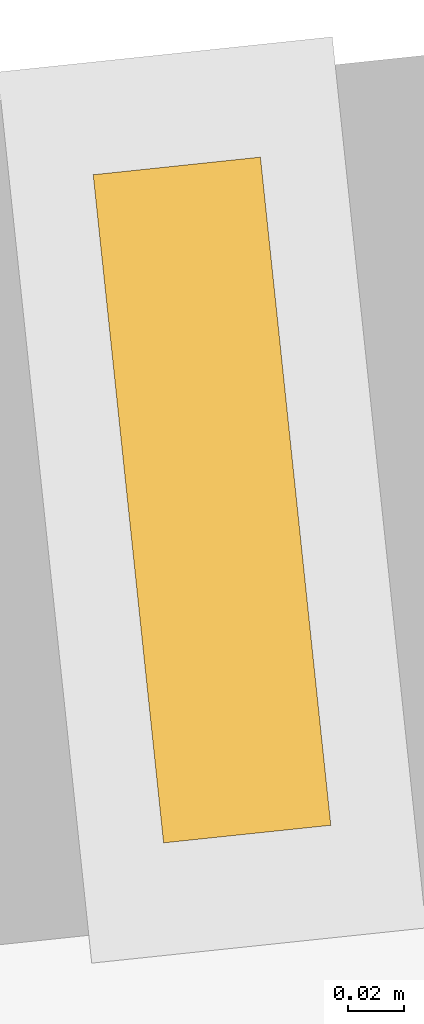
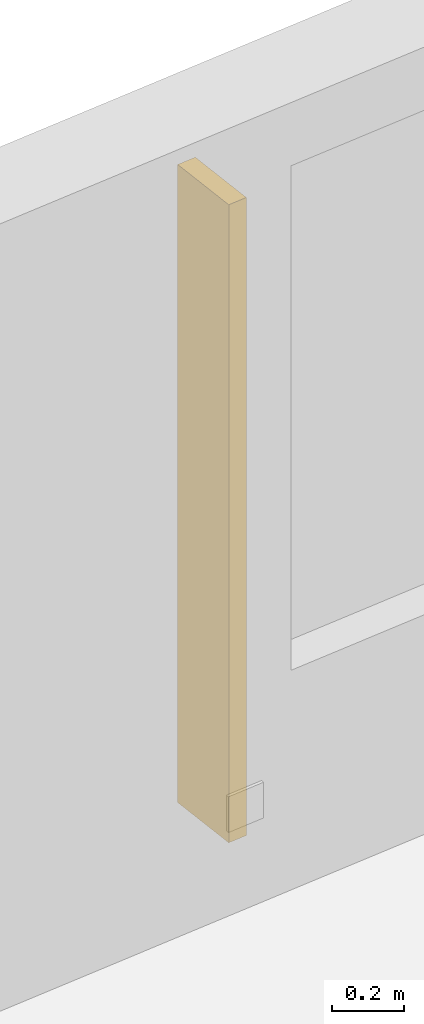
# One storey, part 13 of 13: 1 shading device.
"""IFC4 building model written with IfcOpenShell, lengths in metres."""

from ifc_helpers import new_model, si_unit, direction, frame, origin, origin_2d, place, context, subcontext, project, spatial, rectangle, extrude, material, type_object, element, save


model = new_model("IFC4")

# Units and contexts
model_context = context("Model", 3, precision=1e-05, world=origin(), true_north=direction((0.0, 1.0)))
body_context = subcontext(model_context, "Body", "Model", "MODEL_VIEW")
ifc_project = project(units=[si_unit("LENGTHUNIT", "METRE"), si_unit("AREAUNIT", "SQUARE_METRE"), si_unit("VOLUMEUNIT", "CUBIC_METRE"), si_unit("PLANEANGLEUNIT", "RADIAN"), si_unit("MASSUNIT", "GRAM", prefix="KILO")], contexts=[model_context])

# Site, building, storey
site_placement = place(None, origin())
site = spatial("IfcSite", under=ifc_project, at=site_placement, CompositionType="ELEMENT")
building_placement = place(site_placement, origin())
building = spatial("IfcBuilding", under=site, at=building_placement, Name="Kolvaren Gate Tower and Convention Centre", CompositionType="ELEMENT")
storey_placement = place(building_placement, frame((0.0, 0.0, 142.699951171875)))
storey = spatial("IfcBuildingStorey", under=building, at=storey_placement, Name="L36", CompositionType="ELEMENT", Elevation=142.699951171875)

# Shading device
ifc_material = material(Name="Kiln-Fired Bogota Terracotta Ceramic Louvre Profile", Category="masonry")
shading_device_type = type_object("IfcShadingDeviceType", Name="ARCH-SHD-FIN-180", PredefinedType="JALOUSIE", material=ifc_material)
shading_device_placement = place(storey_placement, frame((26.083251953125, 44.124267578125, 0.22021484375), z_axis=(0.0, 0.0, 1.0), x_axis=(0.994499249941, 0.104743696069, 0.0)))
element("IfcShadingDevice", 1, at=shading_device_placement, inside=storey, type_object=shading_device_type, Name="Ceramic Vertical Brise-Soleil Fin FN-L36-06", PredefinedType="JALOUSIE", context=body_context, shape_type="SweptSolid", body=[
    extrude(rectangle(XDim=0.06005859375, YDim=0.239990234375, at=origin_2d()), origin(), (0.0, 0.0, 1.0), 2.14990234375),
])

save(model, "model.ifc")
